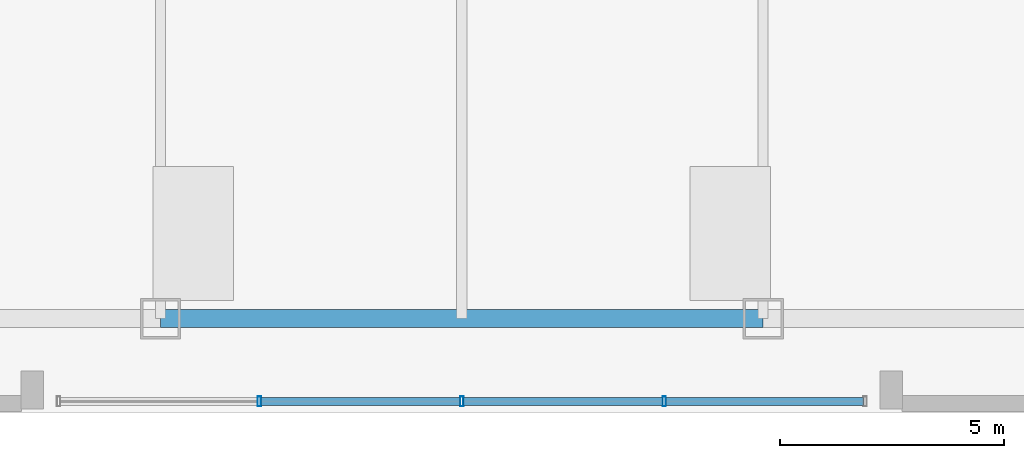
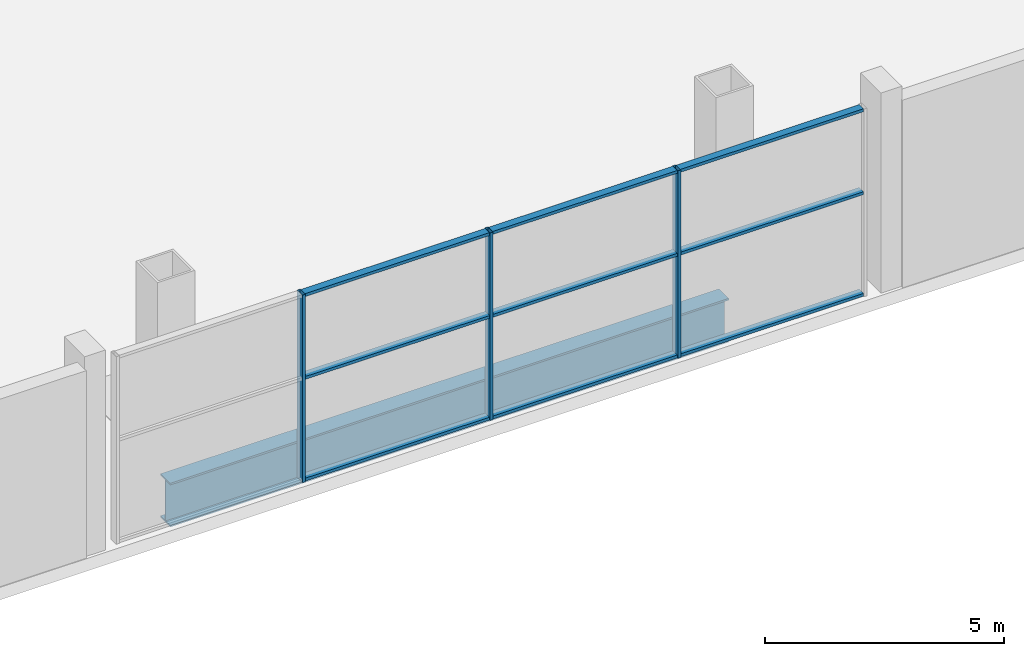
# One storey, part 4 of 21: 12 members, 1 beam, 1 element without a shape of its own.
"""IFC4 building model written with IfcOpenShell, lengths in metres."""

from ifc_helpers import new_model, si_unit, direction, frame, origin, origin_2d, place, context, subcontext, project, spatial, hollow_rectangle, i_section, extrude, material, layer, layer_set, material_profile, profile_set, type_object, element, aggregate, save


model = new_model("IFC4")

# Units and contexts
model_context = context("Model", 3, precision=1e-05, world=origin(), true_north=direction((0.0, 1.0)))
body_context = subcontext(model_context, "Body", "Model", "MODEL_VIEW")
ifc_project = project(units=[si_unit("LENGTHUNIT", "METRE"), si_unit("AREAUNIT", "SQUARE_METRE"), si_unit("VOLUMEUNIT", "CUBIC_METRE"), si_unit("PLANEANGLEUNIT", "RADIAN"), si_unit("MASSUNIT", "GRAM", prefix="KILO")], contexts=[model_context])

# Site, building, storey
site_placement = place(None, origin())
site = spatial("IfcSite", under=ifc_project, at=site_placement, CompositionType="ELEMENT")
building_placement = place(site_placement, origin())
building = spatial("IfcBuilding", under=site, at=building_placement, Name="Qhalaya Broadcast Tower", CompositionType="ELEMENT")
storey_placement = place(building_placement, origin())
storey = spatial("IfcBuildingStorey", under=building, at=storey_placement, Name="L00", CompositionType="ELEMENT", Elevation=0.0)

# Beam
ifc_material_1 = material(Name="Structural Steel ASTM A992 Grade 50", Category="steel")
ifc_material_profile_1 = material_profile(ifc_material_1, i_section(OverallWidth=0.404052734375, OverallDepth=1.117919921875, WebThickness=0.026123046875, FlangeThickness=0.044921875, at=origin_2d()), Name="W44X335")
ifc_profile_set_1 = profile_set([ifc_material_profile_1], Name="Structural Steel ASTM A992 Grade 50")
beam_type = type_object("IfcBeamType", Name="Podium Long-Span Primary Girder PG1", PredefinedType="USERDEFINED", material=ifc_profile_set_1)
beam_placement = place(storey_placement, frame((-6.7333984375, -25.89990234375, -0.87890625), z_axis=(1.0, 0.0, 0.0), x_axis=(0.0, 1.0, 0.0)))
element("IfcBeam", 1, at=beam_placement, inside=storey, type_object=beam_type, Name="L00 PG1 L00-PG-R02", ObjectType="GIRDER", PredefinedType="USERDEFINED", context=body_context, shape_type="SweptSolid", body=[
    extrude(i_section(OverallWidth=0.404052734375, OverallDepth=1.117919921875, WebThickness=0.026123046875, FlangeThickness=0.044921875, at=origin_2d()), origin(), (0.0, 0.0, 1.0), 13.466796875),
])

# Curtain wall, members
ifc_material_2 = material(Name="Solar-Control Low-E Triple Glazing", Category="glass")
ifc_layer = layer(ifc_material_2, 0.219970703125, Name="Solar-Control Low-E Triple Glazing")
ifc_layer_set = layer_set([ifc_layer], Name="Solar-Control Low-E Triple Glazing")
curtain_wall_type = type_object("IfcCurtainWallType", Name="Podium Concourse Triple-Height Glazed Portal CW-01", PredefinedType="NOTDEFINED", material=ifc_layer_set)
curtain_wall_placement = place(storey_placement, origin())
curtain_wall = element("IfcCurtainWall", 2, at=curtain_wall_placement, inside=storey, type_object=curtain_wall_type, Name="L00 Unitised Curtain Wall L00-CW01-S", PredefinedType="NOTDEFINED")
ifc_material_3 = material(Name="Anodised Aluminium 6063-T6", Category="aluminium")
ifc_material_profile_2 = material_profile(ifc_material_3, hollow_rectangle(XDim=0.074951171875, YDim=0.219970703125, WallThickness=0.00390625, at=origin_2d()), Name="ALU-MUL 75x220x4")
ifc_profile_set_2 = profile_set([ifc_material_profile_2], Name="Anodised Aluminium 6063-T6")
member_type_1 = type_object("IfcMemberType", Name="Unitised Curtain-Wall Mullion M01", PredefinedType="MULLION", material=ifc_profile_set_2)
member_1_placement = place(storey_placement, frame((-4.52490234375, -27.75, 0.0), z_axis=(0.0, 0.0, 1.0), x_axis=(1.0, 0.0, 0.0)))
member_1 = element("IfcMember", 3, at=member_1_placement, type_object=member_type_1, Name="CW-01 mullion 2", PredefinedType="MULLION", context=body_context, shape_type="SweptSolid", body=[
    extrude(hollow_rectangle(XDim=0.074951171875, YDim=0.219970703125, WallThickness=0.00390625, at=origin_2d()), origin(), (0.0, 0.0, 1.0), 4.780029296875),
])
member_2_placement = place(storey_placement, frame((0.0, -27.75, 0.0), z_axis=(0.0, 0.0, 1.0), x_axis=(1.0, 0.0, 0.0)))
member_2 = element("IfcMember", 4, at=member_2_placement, type_object=member_type_1, Name="CW-01 mullion 3", PredefinedType="MULLION", context=body_context, shape_type="SweptSolid", body=[
    extrude(hollow_rectangle(XDim=0.074951171875, YDim=0.219970703125, WallThickness=0.00390625, at=origin_2d()), origin(), (0.0, 0.0, 1.0), 4.780029296875),
])
member_3_placement = place(storey_placement, frame((4.52490234375, -27.75, 0.0), z_axis=(0.0, 0.0, 1.0), x_axis=(1.0, 0.0, 0.0)))
member_3 = element("IfcMember", 5, at=member_3_placement, type_object=member_type_1, Name="CW-01 mullion 4", PredefinedType="MULLION", context=body_context, shape_type="SweptSolid", body=[
    extrude(hollow_rectangle(XDim=0.074951171875, YDim=0.219970703125, WallThickness=0.00390625, at=origin_2d()), origin(), (0.0, 0.0, 1.0), 4.780029296875),
])
ifc_material_profile_3 = material_profile(ifc_material_3, hollow_rectangle(XDim=0.074951171875, YDim=0.179931640625, WallThickness=0.00390625, at=origin_2d()), Name="ALU-TRN 75x180x4")
ifc_profile_set_3 = profile_set([ifc_material_profile_3], Name="Anodised Aluminium 6063-T6")
member_type_2 = type_object("IfcMemberType", Name="Unitised Curtain-Wall Transom T01", PredefinedType="USERDEFINED", material=ifc_profile_set_3)
member_4_placement = place(storey_placement, frame((-4.487548828125, -27.75, 0.03759765625), z_axis=(1.0, 0.0, 0.0), x_axis=(0.0, 0.0, 1.0)))
member_4 = element("IfcMember", 6, at=member_4_placement, type_object=member_type_2, Name="CW-01 transom 2.1", ObjectType="TRANSOM", PredefinedType="USERDEFINED", context=body_context, shape_type="SweptSolid", body=[
    extrude(hollow_rectangle(XDim=0.074951171875, YDim=0.179931640625, WallThickness=0.00390625, at=origin_2d()), origin(), (0.0, 0.0, 1.0), 4.449951171875),
])
member_5_placement = place(storey_placement, frame((-4.487548828125, -27.75, 2.62890625), z_axis=(1.0, 0.0, 0.0), x_axis=(0.0, 0.0, 1.0)))
member_5 = element("IfcMember", 7, at=member_5_placement, type_object=member_type_2, Name="CW-01 transom 2.2", ObjectType="TRANSOM", PredefinedType="USERDEFINED", context=body_context, shape_type="SweptSolid", body=[
    extrude(hollow_rectangle(XDim=0.074951171875, YDim=0.179931640625, WallThickness=0.00390625, at=origin_2d()), origin(), (0.0, 0.0, 1.0), 4.449951171875),
])
member_6_placement = place(storey_placement, frame((-4.487548828125, -27.75, 4.742431640625), z_axis=(1.0, 0.0, 0.0), x_axis=(0.0, 0.0, 1.0)))
member_6 = element("IfcMember", 8, at=member_6_placement, type_object=member_type_2, Name="CW-01 transom 2.3", ObjectType="TRANSOM", PredefinedType="USERDEFINED", context=body_context, shape_type="SweptSolid", body=[
    extrude(hollow_rectangle(XDim=0.074951171875, YDim=0.179931640625, WallThickness=0.00390625, at=origin_2d()), origin(), (0.0, 0.0, 1.0), 4.449951171875),
])
member_7_placement = place(storey_placement, frame((0.03759765625, -27.75, 0.03759765625), z_axis=(1.0, 0.0, 0.0), x_axis=(0.0, 0.0, 1.0)))
member_7 = element("IfcMember", 9, at=member_7_placement, type_object=member_type_2, Name="CW-01 transom 3.1", ObjectType="TRANSOM", PredefinedType="USERDEFINED", context=body_context, shape_type="SweptSolid", body=[
    extrude(hollow_rectangle(XDim=0.074951171875, YDim=0.179931640625, WallThickness=0.00390625, at=origin_2d()), origin(), (0.0, 0.0, 1.0), 4.449951171875),
])
member_8_placement = place(storey_placement, frame((0.03759765625, -27.75, 2.62890625), z_axis=(1.0, 0.0, 0.0), x_axis=(0.0, 0.0, 1.0)))
member_8 = element("IfcMember", 10, at=member_8_placement, type_object=member_type_2, Name="CW-01 transom 3.2", ObjectType="TRANSOM", PredefinedType="USERDEFINED", context=body_context, shape_type="SweptSolid", body=[
    extrude(hollow_rectangle(XDim=0.074951171875, YDim=0.179931640625, WallThickness=0.00390625, at=origin_2d()), origin(), (0.0, 0.0, 1.0), 4.449951171875),
])
member_9_placement = place(storey_placement, frame((0.03759765625, -27.75, 4.742431640625), z_axis=(1.0, 0.0, 0.0), x_axis=(0.0, 0.0, 1.0)))
member_9 = element("IfcMember", 11, at=member_9_placement, type_object=member_type_2, Name="CW-01 transom 3.3", ObjectType="TRANSOM", PredefinedType="USERDEFINED", context=body_context, shape_type="SweptSolid", body=[
    extrude(hollow_rectangle(XDim=0.074951171875, YDim=0.179931640625, WallThickness=0.00390625, at=origin_2d()), origin(), (0.0, 0.0, 1.0), 4.449951171875),
])
member_10_placement = place(storey_placement, frame((4.5625, -27.75, 0.03759765625), z_axis=(1.0, 0.0, 0.0), x_axis=(0.0, 0.0, 1.0)))
member_10 = element("IfcMember", 12, at=member_10_placement, type_object=member_type_2, Name="CW-01 transom 4.1", ObjectType="TRANSOM", PredefinedType="USERDEFINED", context=body_context, shape_type="SweptSolid", body=[
    extrude(hollow_rectangle(XDim=0.074951171875, YDim=0.179931640625, WallThickness=0.00390625, at=origin_2d()), origin(), (0.0, 0.0, 1.0), 4.41259765625),
])
member_11_placement = place(storey_placement, frame((4.5625, -27.75, 2.62890625), z_axis=(1.0, 0.0, 0.0), x_axis=(0.0, 0.0, 1.0)))
member_11 = element("IfcMember", 13, at=member_11_placement, type_object=member_type_2, Name="CW-01 transom 4.2", ObjectType="TRANSOM", PredefinedType="USERDEFINED", context=body_context, shape_type="SweptSolid", body=[
    extrude(hollow_rectangle(XDim=0.074951171875, YDim=0.179931640625, WallThickness=0.00390625, at=origin_2d()), origin(), (0.0, 0.0, 1.0), 4.41259765625),
])
member_12_placement = place(storey_placement, frame((4.5625, -27.75, 4.742431640625), z_axis=(1.0, 0.0, 0.0), x_axis=(0.0, 0.0, 1.0)))
member_12 = element("IfcMember", 14, at=member_12_placement, type_object=member_type_2, Name="CW-01 transom 4.3", ObjectType="TRANSOM", PredefinedType="USERDEFINED", context=body_context, shape_type="SweptSolid", body=[
    extrude(hollow_rectangle(XDim=0.074951171875, YDim=0.179931640625, WallThickness=0.00390625, at=origin_2d()), origin(), (0.0, 0.0, 1.0), 4.41259765625),
])
aggregate(curtain_wall, [member_1, member_2, member_3, member_4, member_5, member_6, member_7, member_8, member_9, member_10, member_11, member_12])

save(model, "model.ifc")
